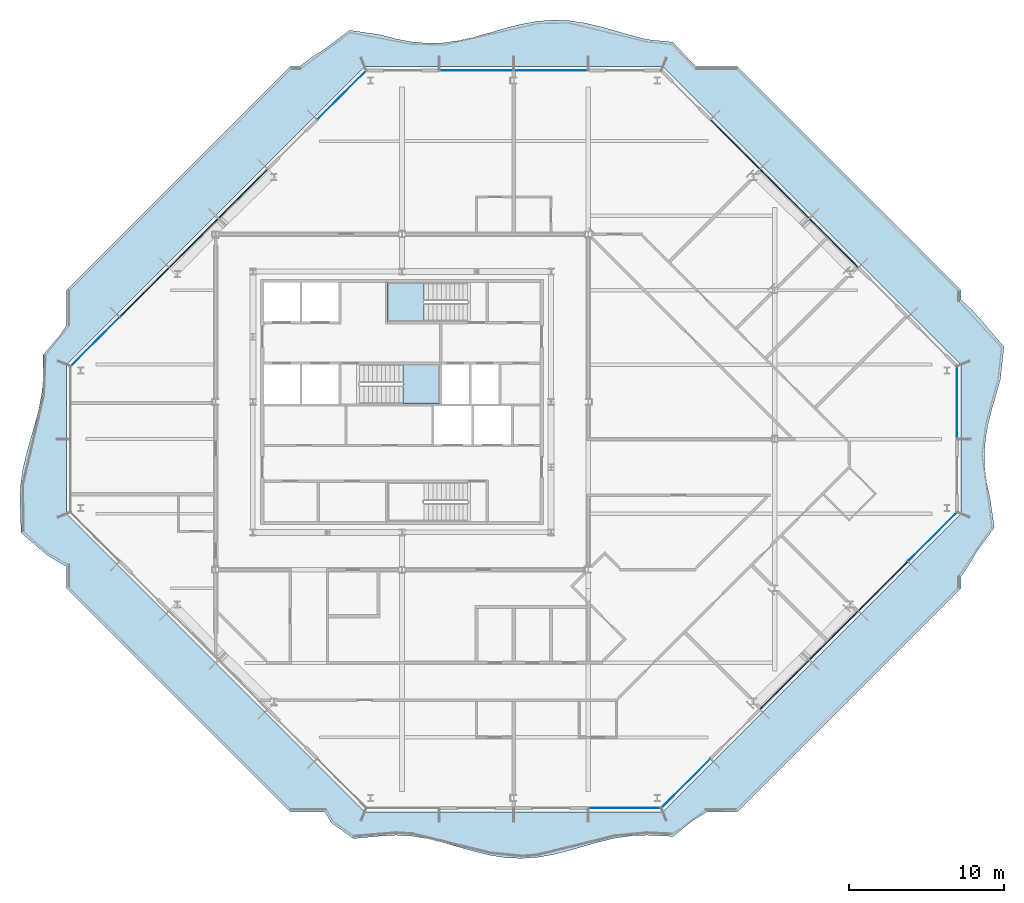
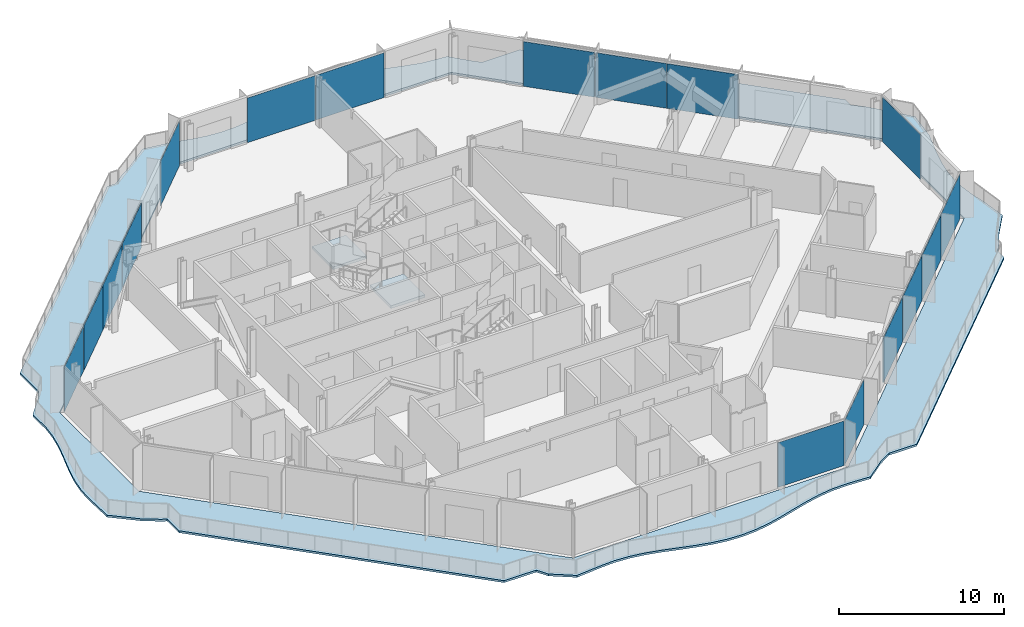
# One storey, part 6 of 17: 17 plates, 3 slabs, 8 elements without a shape of their own.
"""IFC4 building model written with IfcOpenShell, lengths in metres."""

from ifc_helpers import new_model, si_unit, direction, frame, origin, origin_2d, place, context, subcontext, project, spatial, polyline, rectangle, outline, extrude, material, layer, layer_set, type_object, element, aggregate, save


model = new_model("IFC4")

# Units and contexts
model_context = context("Model", 3, precision=1e-05, world=origin(), true_north=direction((0.0, 1.0)))
body_context = subcontext(model_context, "Body", "Model", "MODEL_VIEW")
ifc_project = project(units=[si_unit("LENGTHUNIT", "METRE"), si_unit("AREAUNIT", "SQUARE_METRE"), si_unit("VOLUMEUNIT", "CUBIC_METRE"), si_unit("PLANEANGLEUNIT", "RADIAN"), si_unit("MASSUNIT", "GRAM", prefix="KILO")], contexts=[model_context])

# Site, building, storey
site_placement = place(None, origin())
site = spatial("IfcSite", under=ifc_project, at=site_placement, CompositionType="ELEMENT")
building_placement = place(site_placement, origin())
building = spatial("IfcBuilding", under=site, at=building_placement, Name="Cairn Pilgrim Tower", CompositionType="ELEMENT")
storey_placement = place(building_placement, frame((0.0, 0.0, 210.60009765625)))
storey = spatial("IfcBuildingStorey", under=building, at=storey_placement, Name="L53", CompositionType="ELEMENT", Elevation=210.60009765625)

# Slab
ifc_material_1 = material(Name="Concrete C35/45", Category="concrete")
ifc_layer_1 = layer(ifc_material_1, 0.14990234375)
ifc_layer_set_1 = layer_set([ifc_layer_1], Name="BALCONY SLAB 150 CONCRETE C35/45")
slab_type_1 = type_object("IfcSlabType", Name="BALCONY SLAB 150 CONCRETE C35/45", PredefinedType="FLOOR", material=ifc_layer_set_1)
slab_1_placement = place(storey_placement, frame((0.0, 0.0, -0.150146484375)))
element("IfcSlab", 1, at=slab_1_placement, inside=storey, type_object=slab_type_1, Name="Balcony slab BS-1", PredefinedType="FLOOR", context=body_context, shape_type="SweptSolid", body=[
    extrude(outline(polyline([(25.95849609375, -24.536376953125), (26.8515625, -24.007080078125), (26.864501953125, -24.0), (28.800048828125, -24.0), (43.199951171875, -9.60009765625), (43.199951171875, -8.860107421875), (43.690185546875, -8.134765625), (44.21435546875, -7.236572265625), (45.346435546875, -5.68896484375), (45.080322265625, -3.840087890625), (44.865966796875, -2.8798828125), (44.73388671875, -1.919921875), (44.7021484375, -0.9599609375), (44.775634765625, 0.0), (44.943603515625, 0.9599609375), (45.182861328125, 1.919921875), (45.459716796875, 2.8798828125), (45.735107421875, 3.840087890625), (45.970458984375, 5.947509765625), (44.56640625, 7.588623046875), (43.89892578125, 8.343505859375), (43.199951171875, 8.9716796875), (43.199951171875, 9.60009765625), (28.800048828125, 24.0), (26.156005859375, 24.0), (25.772216796875, 24.349853515625), (24.650146484375, 25.569580078125), (22.989501953125, 25.744384765625), (21.97900390625, 25.997802734375), (20.968505859375, 26.29052734375), (19.9580078125, 26.57666015625), (18.947265625, 26.812255859375), (17.936767578125, 26.96044921875), (16.92626953125, 26.998046875), (15.915771484375, 26.919677734375), (14.9052734375, 26.737060546875), (13.894775390625, 26.478759765625), (12.88427734375, 26.184814453125), (11.873779296875, 25.901123046875), (10.863037109375, 25.671630859375), (9.8525390625, 25.531982421875), (8.842041015625, 25.50390625), (7.83154296875, 25.592041015625), (6.821044921875, 25.7822265625), (5.810546875, 26.045166015625), (3.830810546875, 26.33984375), (2.236572265625, 25.14111328125), (1.3681640625, 24.58740234375), (0.603759765625, 24.0), (0.0, 24.0), (-14.39990234375, 9.60009765625), (-14.39990234375, 7.3486328125), (-14.844482421875, 6.666748046875), (-15.9169921875, 5.42822265625), (-15.91015625, 3.840087890625), (-16.00732421875, 2.8798828125), (-16.194580078125, 1.919921875), (-16.446044921875, 0.9599609375), (-16.72607421875, 0.0), (-16.995361328125, -0.9599609375), (-17.21630859375, -1.919921875), (-17.357421875, -2.8798828125), (-17.3994140625, -3.840087890625), (-17.336181640625, -6.01611328125), (-15.645263671875, -7.467529296875), (-14.758056640625, -8.002685546875), (-14.39990234375, -8.200439453125), (-14.39990234375, -9.60009765625), (0.0, -24.0), (2.2353515625, -24.0), (2.66064453125, -24.71728515625), (4.087646484375, -25.7197265625), (5.810546875, -25.555908203125), (6.821044921875, -25.5), (7.83154296875, -25.560791015625), (8.842041015625, -25.728515625), (9.8525390625, -25.977294921875), (10.863037109375, -26.2685546875), (11.873779296875, -26.556884765625), (12.88427734375, -26.797607421875), (13.894775390625, -26.953125), (14.9052734375, -26.999267578125), (15.915771484375, -26.92919921875), (16.92626953125, -26.75341796875), (17.936767578125, -26.499267578125), (18.947265625, -26.20654296875), (19.9580078125, -25.920654296875), (20.968505859375, -25.685791015625), (21.97900390625, -25.53857421875), (22.989501953125, -25.501953125), (24.6552734375, -25.581787109375), (25.95849609375, -24.536376953125)]), holes=[polyline([(24.0, -24.0), (4.800048828125, -24.0), (-14.39990234375, -4.800048828125), (-14.39990234375, 4.800048828125), (4.800048828125, 24.0), (24.0, 24.0), (43.199951171875, 4.800048828125), (43.199951171875, -4.800048828125), (24.0, -24.0)])]), origin(), (0.0, 0.0, 1.0), 0.150146484375),
])

# Curtain wall, plates
ifc_material_2 = material(Name="Aluminium alloy 6063-T6 bronze anodised with Bronze tinted laminated low-E glass 8+16+8.8", Category="aluminium")
curtain_wall_type_1 = type_object("IfcCurtainWallType", Name="CHAMFER CORNER CURTAIN WALL", PredefinedType="NOTDEFINED", material=ifc_material_2)
curtain_wall_1_placement = place(storey_placement, origin())
curtain_wall_1 = element("IfcCurtainWall", 2, at=curtain_wall_1_placement, inside=storey, type_object=curtain_wall_type_1, Name="Chamfer Corner Curtain Wall SE", PredefinedType="NOTDEFINED")
ifc_material_3 = material(Name="Bronze anodised aluminium spandrel panel with mineral wool insulation", Category="aluminium")
ifc_layer_2 = layer(ifc_material_3, 0.06005859375)
ifc_layer_set_2 = layer_set([ifc_layer_2], Name="SPANDREL PANEL 4431x3300")
plate_type_1 = type_object("IfcPlateType", Name="SPANDREL PANEL 4431x3300", PredefinedType="CURTAIN_PANEL", material=ifc_layer_set_2)
plate_1_placement = place(storey_placement, frame((31.83544921875, -15.81103515625, 0.0), z_axis=(0.0, 0.0, 1.0), x_axis=(0.707106781187, 0.707106781187, 0.0)))
plate_1 = element("IfcPlate", 3, at=plate_1_placement, type_object=plate_type_1, Name="Spandrel Panel SE3-1", PredefinedType="CURTAIN_PANEL", context=body_context, shape_type="SweptSolid", body=[
    extrude(rectangle(XDim=4.430908203125, YDim=0.06005859375, at=origin_2d()), origin(), (0.0, 0.0, 1.0), 3.300048828125),
])
plate_2_placement = place(storey_placement, frame((35.010986328125, -12.635498046875, 0.0), z_axis=(0.0, 0.0, 1.0), x_axis=(0.707106781187, 0.707106781187, 0.0)))
plate_2 = element("IfcPlate", 4, at=plate_2_placement, type_object=plate_type_1, Name="Spandrel Panel SE4-1", PredefinedType="CURTAIN_PANEL", context=body_context, shape_type="SweptSolid", body=[
    extrude(rectangle(XDim=4.430908203125, YDim=0.06005859375, at=origin_2d()), origin(), (0.0, 0.0, 1.0), 3.300048828125),
])
plate_3_placement = place(storey_placement, frame((38.1865234375, -9.459716796875, 0.0), z_axis=(0.0, 0.0, 1.0), x_axis=(0.707106781187, 0.707106781187, 0.0)))
plate_3 = element("IfcPlate", 5, at=plate_3_placement, type_object=plate_type_1, Name="Spandrel Panel SE5-1", PredefinedType="CURTAIN_PANEL", context=body_context, shape_type="SweptSolid", body=[
    extrude(rectangle(XDim=4.430908203125, YDim=0.06005859375, at=origin_2d()), origin(), (0.0, 0.0, 1.0), 3.300048828125),
])

curtain_wall_2_placement = place(storey_placement, origin())
curtain_wall_2 = element("IfcCurtainWall", 6, at=curtain_wall_2_placement, inside=storey, type_object=curtain_wall_type_1, Name="Chamfer Corner Curtain Wall NE", PredefinedType="NOTDEFINED")
plate_4_placement = place(storey_placement, frame((35.010986328125, 12.635498046875, 0.0), z_axis=(0.0, 0.0, 1.0), x_axis=(-0.707106781187, 0.707106781187, 0.0)))
plate_4 = element("IfcPlate", 7, at=plate_4_placement, type_object=plate_type_1, Name="Spandrel Panel NE3-1", PredefinedType="CURTAIN_PANEL", context=body_context, shape_type="SweptSolid", body=[
    extrude(rectangle(XDim=4.430908203125, YDim=0.06005859375, at=origin_2d()), origin(), (0.0, 0.0, 1.0), 3.300048828125),
])
plate_5_placement = place(storey_placement, frame((31.83544921875, 15.81103515625, 0.0), z_axis=(0.0, 0.0, 1.0), x_axis=(-0.707106781187, 0.707106781187, 0.0)))
plate_5 = element("IfcPlate", 8, at=plate_5_placement, type_object=plate_type_1, Name="Spandrel Panel NE4-1", PredefinedType="CURTAIN_PANEL", context=body_context, shape_type="SweptSolid", body=[
    extrude(rectangle(XDim=4.430908203125, YDim=0.06005859375, at=origin_2d()), origin(), (0.0, 0.0, 1.0), 3.300048828125),
])
plate_6_placement = place(storey_placement, frame((28.659912109375, 18.986572265625, 0.0), z_axis=(0.0, 0.0, 1.0), x_axis=(-0.707106781187, 0.707106781187, 0.0)))
plate_6 = element("IfcPlate", 9, at=plate_6_placement, type_object=plate_type_1, Name="Spandrel Panel NE5-1", PredefinedType="CURTAIN_PANEL", context=body_context, shape_type="SweptSolid", body=[
    extrude(rectangle(XDim=4.430908203125, YDim=0.06005859375, at=origin_2d()), origin(), (0.0, 0.0, 1.0), 3.300048828125),
])
aggregate(curtain_wall_2, [plate_4, plate_5, plate_6])

curtain_wall_3_placement = place(storey_placement, origin())
curtain_wall_3 = element("IfcCurtainWall", 10, at=curtain_wall_3_placement, inside=storey, type_object=curtain_wall_type_1, Name="Chamfer Corner Curtain Wall NW", PredefinedType="NOTDEFINED")
plate_7_placement = place(storey_placement, frame((-3.035400390625, 15.81103515625, 0.0), z_axis=(0.0, 0.0, 1.0), x_axis=(-0.707106781187, -0.707106781187, 0.0)))
plate_7 = element("IfcPlate", 11, at=plate_7_placement, type_object=plate_type_1, Name="Spandrel Panel NW3-1", PredefinedType="CURTAIN_PANEL", context=body_context, shape_type="SweptSolid", body=[
    extrude(rectangle(XDim=4.430908203125, YDim=0.06005859375, at=origin_2d()), origin(), (0.0, 0.0, 1.0), 3.300048828125),
])
plate_8_placement = place(storey_placement, frame((-6.2109375, 12.635498046875, 0.0), z_axis=(0.0, 0.0, 1.0), x_axis=(-0.707106781187, -0.707106781187, 0.0)))
plate_8 = element("IfcPlate", 12, at=plate_8_placement, type_object=plate_type_1, Name="Spandrel Panel NW4-1", PredefinedType="CURTAIN_PANEL", context=body_context, shape_type="SweptSolid", body=[
    extrude(rectangle(XDim=4.430908203125, YDim=0.06005859375, at=origin_2d()), origin(), (0.0, 0.0, 1.0), 3.300048828125),
])
plate_9_placement = place(storey_placement, frame((-9.38671875, 9.459716796875, 0.0), z_axis=(0.0, 0.0, 1.0), x_axis=(-0.707106781187, -0.707106781187, 0.0)))
plate_9 = element("IfcPlate", 13, at=plate_9_placement, type_object=plate_type_1, Name="Spandrel Panel NW5-1", PredefinedType="CURTAIN_PANEL", context=body_context, shape_type="SweptSolid", body=[
    extrude(rectangle(XDim=4.430908203125, YDim=0.06005859375, at=origin_2d()), origin(), (0.0, 0.0, 1.0), 3.300048828125),
])

# Stair, slab
ifc_material_4 = material(Name="Concrete C32/40", Category="concrete")
stair_type = type_object("IfcStairType", Name="EXIT STAIR 1200", PredefinedType="HALF_TURN_STAIR", material=ifc_material_4)
stair_1_placement = place(storey_placement, origin())
stair_1 = element("IfcStair", 14, at=stair_1_placement, inside=storey, type_object=stair_type, Name="L53 Exit Stair B", PredefinedType="HALF_TURN_STAIR")
ifc_layer_3 = layer(ifc_material_4, 0.199951171875)
ifc_layer_set_3 = layer_set([ifc_layer_3], Name="STAIR LANDING 200")
slab_type_2 = type_object("IfcSlabType", Name="STAIR LANDING 200", PredefinedType="LANDING", material=ifc_layer_set_3)
slab_2_placement = place(storey_placement, frame((0.0, 0.0, 1.599853515625)))
slab_2 = element("IfcSlab", 15, at=slab_2_placement, type_object=slab_type_2, Name="ST-B landing 1", PredefinedType="LANDING", context=body_context, shape_type="SweptSolid", body=[
    extrude(outline(polyline([(7.27490234375, 2.27490234375), (9.625, 2.27490234375), (9.625, 4.824951171875), (7.27490234375, 4.824951171875), (7.27490234375, 2.27490234375)])), origin(), (0.0, 0.0, 1.0), 0.199951171875),
])
aggregate(stair_1, [slab_2])

stair_2_placement = place(storey_placement, origin())
stair_2 = element("IfcStair", 16, at=stair_2_placement, inside=storey, type_object=stair_type, Name="L53 Exit Stair C", PredefinedType="HALF_TURN_STAIR")
slab_3_placement = place(storey_placement, frame((0.0, 0.0, 1.599853515625)))
slab_3 = element("IfcSlab", 17, at=slab_3_placement, type_object=slab_type_2, Name="ST-C landing 1", PredefinedType="LANDING", context=body_context, shape_type="SweptSolid", body=[
    extrude(outline(polyline([(8.625, 10.10009765625), (6.27490234375, 10.10009765625), (6.27490234375, 7.574951171875), (8.625, 7.574951171875), (8.625, 10.10009765625)])), origin(), (0.0, 0.0, 1.0), 0.199951171875),
])
aggregate(stair_2, [slab_3])

# Plate
ifc_material_5 = material(Name="Bronze tinted laminated low-E glass 8+16+8.8", Category="glass")
ifc_layer_4 = layer(ifc_material_5, 0.033935546875)
ifc_layer_set_4 = layer_set([ifc_layer_4], Name="VISION GLAZING 4421x3300")
plate_type_2 = type_object("IfcPlateType", Name="VISION GLAZING 4421x3300", PredefinedType="CURTAIN_PANEL", material=ifc_layer_set_4)
plate_10_placement = place(storey_placement, frame((25.48779296875, -22.15869140625, 0.0), z_axis=(0.0, 0.0, 1.0), x_axis=(0.707106781187, 0.707106781187, 0.0)))
plate_10 = element("IfcPlate", 18, at=plate_10_placement, type_object=plate_type_2, Name="Vision Glazing SE1-1", PredefinedType="CURTAIN_PANEL", context=body_context, shape_type="SweptSolid", body=[
    extrude(rectangle(XDim=4.4208984375, YDim=0.033935546875, at=origin_2d()), origin(), (0.0, 0.0, 1.0), 3.300048828125),
])

plate_11_placement = place(storey_placement, frame((41.358642578125, -6.287841796875, 0.0), z_axis=(0.0, 0.0, 1.0), x_axis=(0.707106781187, 0.707106781187, 0.0)))
plate_11 = element("IfcPlate", 19, at=plate_11_placement, type_object=plate_type_2, Name="Vision Glazing SE6-1", PredefinedType="CURTAIN_PANEL", context=body_context, shape_type="SweptSolid", body=[
    extrude(rectangle(XDim=4.4208984375, YDim=0.033935546875, at=origin_2d()), origin(), (0.0, 0.0, 1.0), 3.300048828125),
])

aggregate(curtain_wall_1, [plate_10, plate_1, plate_2, plate_3, plate_11])

plate_12_placement = place(storey_placement, frame((3.312255859375, 22.15869140625, 0.0), z_axis=(0.0, 0.0, 1.0), x_axis=(-0.707106781187, -0.707106781187, 0.0)))
plate_12 = element("IfcPlate", 20, at=plate_12_placement, type_object=plate_type_2, Name="Vision Glazing NW1-1", PredefinedType="CURTAIN_PANEL", context=body_context, shape_type="SweptSolid", body=[
    extrude(rectangle(XDim=4.4208984375, YDim=0.033935546875, at=origin_2d()), origin(), (0.0, 0.0, 1.0), 3.300048828125),
])

plate_13_placement = place(storey_placement, frame((-12.55859375, 6.287841796875, 0.0), z_axis=(0.0, 0.0, 1.0), x_axis=(-0.707106781187, -0.707106781187, 0.0)))
plate_13 = element("IfcPlate", 21, at=plate_13_placement, type_object=plate_type_2, Name="Vision Glazing NW6-1", PredefinedType="CURTAIN_PANEL", context=body_context, shape_type="SweptSolid", body=[
    extrude(rectangle(XDim=4.4208984375, YDim=0.033935546875, at=origin_2d()), origin(), (0.0, 0.0, 1.0), 3.300048828125),
])

aggregate(curtain_wall_3, [plate_12, plate_7, plate_8, plate_9, plate_13])

# Curtain wall, plate
curtain_wall_type_2 = type_object("IfcCurtainWallType", Name="TOWER STICK CURTAIN WALL NS", PredefinedType="NOTDEFINED", material=ifc_material_2)
curtain_wall_4_placement = place(storey_placement, origin())
curtain_wall_4 = element("IfcCurtainWall", 22, at=curtain_wall_4_placement, inside=storey, type_object=curtain_wall_type_2, Name="Tower Stick Curtain Wall Ns S", PredefinedType="NOTDEFINED")
ifc_layer_5 = layer(ifc_material_5, 0.033935546875)
ifc_layer_set_5 = layer_set([ifc_layer_5], Name="VISION GLAZING 4626x3300")
plate_type_3 = type_object("IfcPlateType", Name="VISION GLAZING 4626x3300", PredefinedType="CURTAIN_PANEL", material=ifc_layer_set_5)
plate_14_placement = place(storey_placement, frame((21.543212890625, -23.75, 0.0), z_axis=(0.0, 0.0, 1.0), x_axis=(1.0, 0.0, 0.0)))
plate_14 = element("IfcPlate", 23, at=plate_14_placement, type_object=plate_type_3, Name="Vision Glazing S4-1", PredefinedType="CURTAIN_PANEL", context=body_context, shape_type="SweptSolid", body=[
    extrude(rectangle(XDim=4.62646484375, YDim=0.033935546875, at=origin_2d()), origin(), (0.0, 0.0, 1.0), 3.300048828125),
])
aggregate(curtain_wall_4, [plate_14])

curtain_wall_type_3 = type_object("IfcCurtainWallType", Name="TOWER STICK CURTAIN WALL EW", PredefinedType="NOTDEFINED", material=ifc_material_2)
curtain_wall_5_placement = place(storey_placement, origin())
curtain_wall_5 = element("IfcCurtainWall", 24, at=curtain_wall_5_placement, inside=storey, type_object=curtain_wall_type_3, Name="Tower Stick Curtain Wall Ew E", PredefinedType="NOTDEFINED")
plate_15_placement = place(storey_placement, frame((42.949951171875, 2.34326171875, 0.0), z_axis=(0.0, 0.0, 1.0), x_axis=(0.0, 1.0, 0.0)))
plate_15 = element("IfcPlate", 25, at=plate_15_placement, type_object=plate_type_3, Name="Vision Glazing E2-1", PredefinedType="CURTAIN_PANEL", context=body_context, shape_type="SweptSolid", body=[
    extrude(rectangle(XDim=4.62646484375, YDim=0.033935546875, at=origin_2d()), origin(), (0.0, 0.0, 1.0), 3.300048828125),
])
aggregate(curtain_wall_5, [plate_15])

# Curtain wall, plates
curtain_wall_6_placement = place(storey_placement, origin())
curtain_wall_6 = element("IfcCurtainWall", 26, at=curtain_wall_6_placement, inside=storey, type_object=curtain_wall_type_2, Name="Tower Stick Curtain Wall Ns N", PredefinedType="NOTDEFINED")
ifc_layer_6 = layer(ifc_material_5, 0.033935546875)
ifc_layer_set_6 = layer_set([ifc_layer_6], Name="VISION GLAZING 4740x3300")
plate_type_4 = type_object("IfcPlateType", Name="VISION GLAZING 4740x3300", PredefinedType="CURTAIN_PANEL", material=ifc_layer_set_6)
plate_16_placement = place(storey_placement, frame((16.800048828125, 23.75, 0.0), z_axis=(0.0, 0.0, 1.0), x_axis=(-1.0, 0.0, 0.0)))
plate_16 = element("IfcPlate", 27, at=plate_16_placement, type_object=plate_type_4, Name="Vision Glazing N2-1", PredefinedType="CURTAIN_PANEL", context=body_context, shape_type="SweptSolid", body=[
    extrude(rectangle(XDim=4.739990234375, YDim=0.033935546875, at=origin_2d()), origin(), (0.0, 0.0, 1.0), 3.300048828125),
])
plate_17_placement = place(storey_placement, frame((12.0, 23.75, 0.0), z_axis=(0.0, 0.0, 1.0), x_axis=(-1.0, 0.0, 0.0)))
plate_17 = element("IfcPlate", 28, at=plate_17_placement, type_object=plate_type_4, Name="Vision Glazing N3-1", PredefinedType="CURTAIN_PANEL", context=body_context, shape_type="SweptSolid", body=[
    extrude(rectangle(XDim=4.739990234375, YDim=0.033935546875, at=origin_2d()), origin(), (0.0, 0.0, 1.0), 3.300048828125),
])
aggregate(curtain_wall_6, [plate_16, plate_17])

save(model, "model.ifc")
